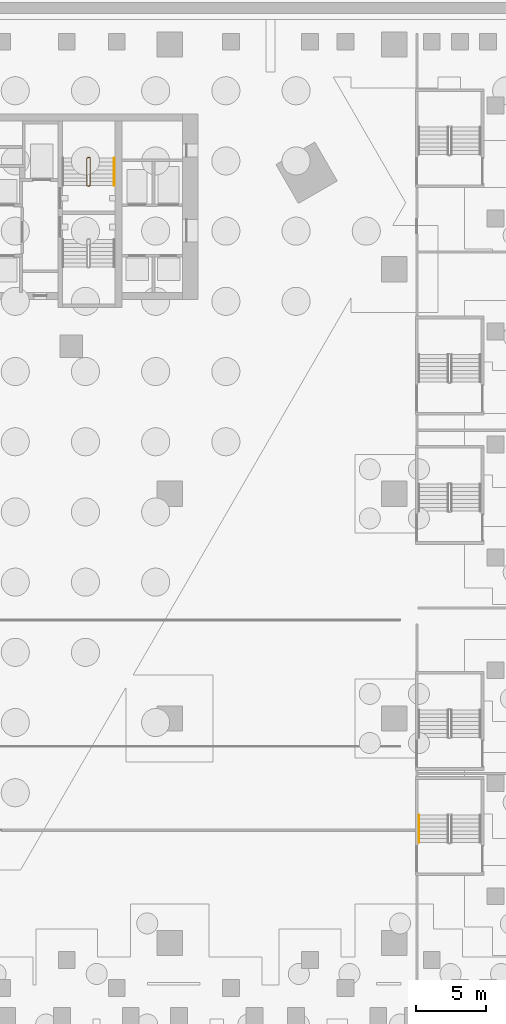
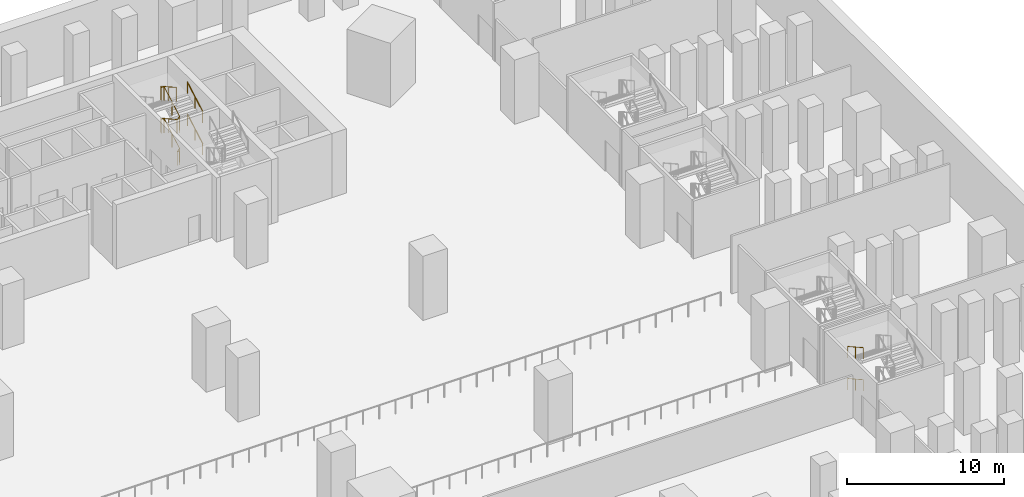
# One storey, part 22 of 27: 5 railings.
"""IFC4 building model written with IfcOpenShell, lengths in metres."""

from ifc_helpers import new_model, si_unit, direction, frame, origin, origin_2d, place, context, subcontext, project, spatial, circle, extrude, material, type_object, element, save


model = new_model("IFC4")

# Units and contexts
model_context = context("Model", 3, precision=1e-05, world=origin(), true_north=direction((0.0, 1.0)))
body_context = subcontext(model_context, "Body", "Model", "MODEL_VIEW")
ifc_project = project(units=[si_unit("LENGTHUNIT", "METRE"), si_unit("AREAUNIT", "SQUARE_METRE"), si_unit("VOLUMEUNIT", "CUBIC_METRE"), si_unit("PLANEANGLEUNIT", "RADIAN"), si_unit("MASSUNIT", "GRAM", prefix="KILO")], contexts=[model_context])

# Site, building, storey
site_placement = place(None, origin())
site = spatial("IfcSite", under=ifc_project, at=site_placement, CompositionType="ELEMENT")
building_placement = place(site_placement, origin())
building = spatial("IfcBuilding", under=site, at=building_placement, Name="Calabash Gate Tower", CompositionType="ELEMENT")
storey_placement = place(building_placement, frame((0.0, 0.0, -10.0)))
storey = spatial("IfcBuildingStorey", under=building, at=storey_placement, Name="B2", CompositionType="ELEMENT", Elevation=-10.0)

# Railings
ifc_material_1 = material(Name="Black powder-coated steel balusters", Category="steel")
railing_type_1 = type_object("IfcRailingType", Name="Stair guard RL1100", PredefinedType="GUARDRAIL", material=ifc_material_1)
railing_placement = place(storey_placement, frame((10.300048828125, 13.902587890625, 0.0)))
element("IfcRailing", 1, at=railing_placement, inside=storey, type_object=railing_type_1, Name="B2 ST3 stair guard 1", PredefinedType="GUARDRAIL", context=body_context, shape_type="SweptSolid", body=[
    extrude(circle(Radius=0.02392578125, at=origin_2d()), frame((0.0, 0.0, 1.076171875), z_axis=(-1.0, 0.0, 0.0), x_axis=(0.0, -1.0, 0.0)), (0.0, 0.0, 1.0), 0.150146484375),
    extrude(circle(Radius=0.02392578125, at=origin_2d()), frame((-0.150146484375, 0.0, 1.076171875), z_axis=(0.773438643492, 0.193359660873, 0.603659429067), x_axis=(-0.242535625036, 0.970142500145, 0.0)), (0.0, 0.0, 1.0), 0.2587890625),
    extrude(circle(Radius=0.02392578125, at=origin_2d()), frame((0.050048828125, 0.050048828125, 1.232421875), z_axis=(0.0, 0.872479975208, 0.48864986735), x_axis=(-1.0, 0.0, 0.0)), (0.0, 0.0, 1.0), 2.23828125),
    extrude(circle(Radius=0.02392578125, at=origin_2d()), frame((0.050048828125, 2.0029296875, 2.326171875), z_axis=(-0.707106781187, 0.707106781187, 0.0), x_axis=(-0.707106781187, -0.707106781187, 0.0)), (0.0, 0.0, 1.0), 0.07080078125),
    extrude(circle(Radius=0.02392578125, at=origin_2d()), frame((0.0, 2.052978515625, 2.326171875), z_axis=(-1.0, 0.0, 0.0), x_axis=(0.0, -1.0, 0.0)), (0.0, 0.0, 1.0), 0.150146484375),
    extrude(circle(Radius=0.02392578125, at=origin_2d()), frame((-0.150146484375, 2.052978515625, 2.326171875), z_axis=(-0.290469530425, -0.291893400672, 0.911276958196), x_axis=(0.708833529934, -0.705375805398, 0.0)), (0.0, 0.0, 1.0), 0.17138671875),
    extrude(circle(Radius=0.02392578125, at=origin_2d()), frame((-0.199951171875, 2.0029296875, 2.482421875), z_axis=(0.0, -0.872479975208, 0.48864986735), x_axis=(1.0, 0.0, 0.0)), (0.0, 0.0, 1.0), 2.23828125),
    extrude(circle(Radius=0.02392578125, at=origin_2d()), frame((-0.199951171875, 0.050048828125, 3.576171875), z_axis=(0.970072785993, -0.242814311512, 0.0), x_axis=(0.242814311512, 0.970072785993, 0.0)), (0.0, 0.0, 1.0), 0.2060546875),
    extrude(circle(Radius=0.02392578125, at=origin_2d()), frame((0.0, 0.0, 3.576171875), z_axis=(-1.0, 0.0, 0.0), x_axis=(0.0, -1.0, 0.0)), (0.0, 0.0, 1.0), 0.150146484375),
    extrude(circle(Radius=0.02392578125, at=origin_2d()), frame((-0.150146484375, 0.0, 3.576171875), z_axis=(0.773438643492, 0.193359660873, 0.603659429067), x_axis=(-0.242535625036, 0.970142500145, 0.0)), (0.0, 0.0, 1.0), 0.2587890625),
    extrude(circle(Radius=0.02392578125, at=origin_2d()), frame((0.050048828125, 0.050048828125, 3.732421875), z_axis=(0.0, 0.872479975208, 0.48864986735), x_axis=(-1.0, 0.0, 0.0)), (0.0, 0.0, 1.0), 2.23828125),
    extrude(circle(Radius=0.02392578125, at=origin_2d()), frame((0.050048828125, 2.0029296875, 4.826171875), z_axis=(-0.707106781187, 0.707106781187, 0.0), x_axis=(-0.707106781187, -0.707106781187, 0.0)), (0.0, 0.0, 1.0), 0.07080078125),
    extrude(circle(Radius=0.02392578125, at=origin_2d()), frame((0.0, 2.052978515625, 4.826171875), z_axis=(-1.0, 0.0, 0.0), x_axis=(0.0, -1.0, 0.0)), (0.0, 0.0, 1.0), 0.150146484375),
    extrude(circle(Radius=0.02392578125, at=origin_2d()), frame((-0.150146484375, 2.052978515625, 4.826171875), z_axis=(-0.290469530425, -0.291893400672, 0.911276958196), x_axis=(0.708833529934, -0.705375805398, 0.0)), (0.0, 0.0, 1.0), 0.17138671875),
    extrude(circle(Radius=0.02392578125, at=origin_2d()), frame((-0.199951171875, 2.0029296875, 4.982421875), z_axis=(0.0, -0.872479975208, 0.48864986735), x_axis=(1.0, 0.0, 0.0)), (0.0, 0.0, 1.0), 2.23828125),
    extrude(circle(Radius=0.02099609375, at=origin_2d()), origin(), (0.0, 0.0, 1.0), 1.052001953125),
    extrude(circle(Radius=0.02099609375, at=origin_2d()), frame((-0.150146484375, 0.0, 0.0)), (0.0, 0.0, 1.0), 1.052001953125),
    extrude(circle(Radius=0.02099609375, at=origin_2d()), frame((0.050048828125, 0.050048828125, 0.15625)), (0.0, 0.0, 1.0), 1.052001953125),
    extrude(circle(Radius=0.02099609375, at=origin_2d()), frame((0.050048828125, 1.0263671875, 0.703125)), (0.0, 0.0, 1.0), 1.052001953125),
    extrude(circle(Radius=0.02099609375, at=origin_2d()), frame((0.050048828125, 2.0029296875, 1.25)), (0.0, 0.0, 1.0), 1.052001953125),
    extrude(circle(Radius=0.02099609375, at=origin_2d()), frame((0.0, 2.052978515625, 1.25)), (0.0, 0.0, 1.0), 1.052001953125),
    extrude(circle(Radius=0.02099609375, at=origin_2d()), frame((-0.150146484375, 2.052978515625, 1.25)), (0.0, 0.0, 1.0), 1.052001953125),
    extrude(circle(Radius=0.02099609375, at=origin_2d()), frame((-0.199951171875, 2.0029296875, 1.40625)), (0.0, 0.0, 1.0), 1.052001953125),
    extrude(circle(Radius=0.02099609375, at=origin_2d()), frame((-0.199951171875, 1.0263671875, 1.953125)), (0.0, 0.0, 1.0), 1.052001953125),
    extrude(circle(Radius=0.02099609375, at=origin_2d()), frame((-0.199951171875, 0.050048828125, 2.5)), (0.0, 0.0, 1.0), 1.052001953125),
    extrude(circle(Radius=0.02099609375, at=origin_2d()), frame((0.0, 0.0, 2.5)), (0.0, 0.0, 1.0), 1.052001953125),
    extrude(circle(Radius=0.02099609375, at=origin_2d()), frame((-0.150146484375, 0.0, 2.5)), (0.0, 0.0, 1.0), 1.052001953125),
    extrude(circle(Radius=0.02099609375, at=origin_2d()), frame((0.050048828125, 0.050048828125, 2.65625)), (0.0, 0.0, 1.0), 1.052001953125),
    extrude(circle(Radius=0.02099609375, at=origin_2d()), frame((0.050048828125, 1.0263671875, 3.203125)), (0.0, 0.0, 1.0), 1.052001953125),
    extrude(circle(Radius=0.02099609375, at=origin_2d()), frame((0.050048828125, 2.0029296875, 3.75)), (0.0, 0.0, 1.0), 1.052001953125),
    extrude(circle(Radius=0.02099609375, at=origin_2d()), frame((0.0, 2.052978515625, 3.75)), (0.0, 0.0, 1.0), 1.052001953125),
    extrude(circle(Radius=0.02099609375, at=origin_2d()), frame((-0.150146484375, 2.052978515625, 3.75)), (0.0, 0.0, 1.0), 1.052001953125),
    extrude(circle(Radius=0.02099609375, at=origin_2d()), frame((-0.199951171875, 2.0029296875, 3.90625)), (0.0, 0.0, 1.0), 1.052001953125),
    extrude(circle(Radius=0.02099609375, at=origin_2d()), frame((-0.199951171875, 1.0263671875, 4.453125)), (0.0, 0.0, 1.0), 1.052001953125),
    extrude(circle(Radius=0.02099609375, at=origin_2d()), frame((-0.199951171875, 0.050048828125, 5.0)), (0.0, 0.0, 1.0), 1.052001953125),
])
ifc_material_2 = material(Name="Black powder-coated steel tube 48 mm", Category="steel")
railing_type_2 = type_object("IfcRailingType", Name="Stair handrail RL900", PredefinedType="HANDRAIL", material=ifc_material_2)
for number, where, name in (
    (2, (12.050048828125, 13.95263671875, 0.15625), "B2 ST3 stair handrail 1"),
    (3, (12.050048828125, 13.95263671875, 2.65625), "B2 ST3 stair handrail 3"),
):
    element("IfcRailing", number, at=place(storey_placement, frame(where)), inside=storey, type_object=railing_type_2, Name=name, PredefinedType="HANDRAIL", context=body_context, shape_type="SweptSolid", body=[
        extrude(circle(Radius=0.02392578125, at=origin_2d()), frame((0.0, 0.0, 0.8759765625), z_axis=(0.0, 0.872479975208, 0.48864986735), x_axis=(-1.0, 0.0, 0.0)), (0.0, 0.0, 1.0), 2.23828125),
        extrude(circle(Radius=0.02099609375, at=origin_2d()), origin(), (0.0, 0.0, 1.0), 0.851806640625),
        extrude(circle(Radius=0.02099609375, at=origin_2d()), frame((0.0, 0.9765625, 0.546875)), (0.0, 0.0, 1.0), 0.851806640625),
        extrude(circle(Radius=0.02099609375, at=origin_2d()), frame((0.0, 1.952880859375, 1.09375)), (0.0, 0.0, 1.0), 0.851806640625),
    ])
for number, where, name in (
    (4, (33.75, -30.886962890625, 1.40625), "B2 PS6 stair handrail 2"),
    (5, (33.75, -30.886962890625, 3.90625), "B2 PS6 stair handrail 4"),
):
    element("IfcRailing", number, at=place(storey_placement, frame(where)), inside=storey, type_object=railing_type_2, Name=name, PredefinedType="HANDRAIL", context=body_context, shape_type="SweptSolid", body=[
        extrude(circle(Radius=0.02392578125, at=origin_2d()), frame((0.0, 0.0, 0.8759765625), z_axis=(0.0, -0.87250601595, 0.488603368932), x_axis=(1.0, 0.0, 0.0)), (0.0, 0.0, 1.0), 2.238525390625),
        extrude(circle(Radius=0.02099609375, at=origin_2d()), origin(), (0.0, 0.0, 1.0), 0.851806640625),
        extrude(circle(Radius=0.02099609375, at=origin_2d()), frame((0.0, -0.9765625, 0.546875)), (0.0, 0.0, 1.0), 0.851806640625),
        extrude(circle(Radius=0.02099609375, at=origin_2d()), frame((0.0, -1.953125, 1.09375)), (0.0, 0.0, 1.0), 0.851806640625),
    ])

save(model, "model.ifc")
